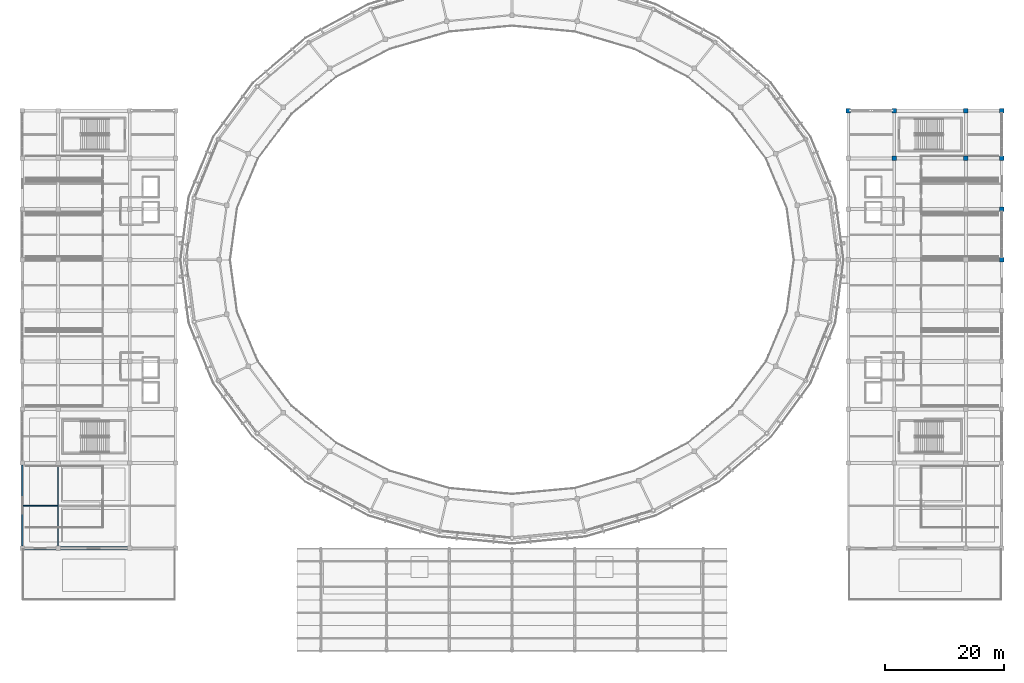
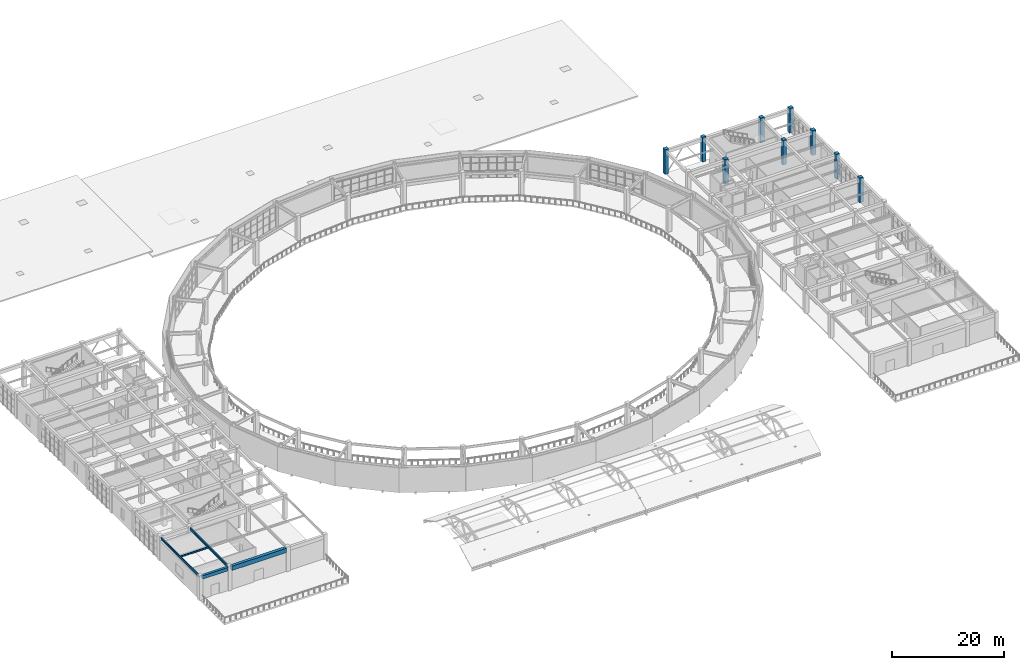
# One storey, part 10 of 70: 9 columns, 5 beams.
"""IFC4 building model written with IfcOpenShell, lengths in metres."""

from ifc_helpers import new_model, si_unit, direction, frame, origin, origin_2d, place, context, subcontext, project, spatial, rectangle, i_section, extrude, material, material_profile, profile_set, type_object, element, save


model = new_model("IFC4")

# Units and contexts
model_context = context("Model", 3, precision=1e-05, world=origin(), true_north=direction((0.0, 1.0)))
body_context = subcontext(model_context, "Body", "Model", "MODEL_VIEW")
ifc_project = project(units=[si_unit("LENGTHUNIT", "METRE"), si_unit("AREAUNIT", "SQUARE_METRE"), si_unit("VOLUMEUNIT", "CUBIC_METRE"), si_unit("PLANEANGLEUNIT", "RADIAN"), si_unit("MASSUNIT", "GRAM", prefix="KILO")], contexts=[model_context])

# Site, building, storey
site_placement = place(None, origin())
site = spatial("IfcSite", under=ifc_project, at=site_placement, CompositionType="ELEMENT")
building_placement = place(site_placement, origin())
building = spatial("IfcBuilding", under=site, at=building_placement, Name="Cuetzalor Civic Arena", CompositionType="ELEMENT")
storey_placement = place(building_placement, frame((0.0, 0.0, 21.0)))
storey = spatial("IfcBuildingStorey", under=building, at=storey_placement, Name="L04", CompositionType="ELEMENT", Elevation=21.0)

# Columns
ifc_material_1 = material(Name="Concrete C40/50", Category="concrete")
ifc_material_profile_1 = material_profile(ifc_material_1, rectangle(XDim=0.75, YDim=0.75, at=origin_2d()), Name="RC 750x750")
ifc_profile_set_1 = profile_set([ifc_material_profile_1], Name="Concrete C40/50")
column_type = type_object("IfcColumnType", Name="ConcreteColumn_750", PredefinedType="COLUMN", material=ifc_profile_set_1)
for number, where, z_axis, x_axis, name in (
    (1, (56.300048828125, 25.0, 0.0), (0.0, 0.0, 1.0), (1.0, 0.0, 0.0), "Column V4E-C-01-10 L04"),
    (2, (64.0, 17.0, 0.0), (0.0, 0.0, 1.0), (1.0, 0.0, 0.0), "Column V4E-C-02-09 L04"),
    (3, (64.0, 25.0, 0.0), (0.0, 0.0, 1.0), (1.0, 0.0, 0.0), "Column V4E-C-02-10 L04"),
    (4, (76.0, 17.0, 0.0), (0.0, 0.0, 1.0), (1.0, 0.0, 0.0), "Column V4E-C-03-09 L04"),
    (5, (76.0, 25.0, 0.0), (0.0, 0.0, 1.0), (1.0, 0.0, 0.0), "Column V4E-C-03-10 L04"),
    (6, (82.0, 0.0, 0.0), (0.0, 0.0, 1.0), (1.0, 0.0, 0.0), "Column V4E-C-04-07 L04"),
    (7, (82.0, 8.5, 0.0), (0.0, 0.0, 1.0), (1.0, 0.0, 0.0), "Column V4E-C-04-08 L04"),
    (8, (82.0, 17.0, 0.0), (0.0, 0.0, 1.0), (1.0, 0.0, 0.0), "Column V4E-C-04-09 L04"),
    (9, (82.0, 25.0, 0.0), (0.0, 0.0, 1.0), (1.0, 0.0, 0.0), "Column V4E-C-04-10 L04"),
):
    element("IfcColumn", number, at=place(storey_placement, frame(where, z_axis=z_axis, x_axis=x_axis)), inside=storey, type_object=column_type, Name=name, PredefinedType="COLUMN", context=body_context, shape_type="SweptSolid", body=[
        extrude(rectangle(XDim=0.75, YDim=0.75, at=origin_2d()), origin(), (0.0, 0.0, 1.0), 5.39990234375),
    ])

# Beams
ifc_material_2 = material(Name="Concrete C40/50", Category="concrete")
ifc_material_profile_2 = material_profile(ifc_material_2, rectangle(XDim=0.5, YDim=0.75, at=origin_2d()), Name="RC 500x750")
ifc_profile_set_2 = profile_set([ifc_material_profile_2], Name="Concrete C40/50")
beam_type_1 = type_object("IfcBeamType", Name="ConcreteFrameBeam_500x750", PredefinedType="BEAM", material=ifc_profile_set_2)
beam_1_placement = place(storey_placement, frame((-81.635009765625, -48.300048828125, 4.7451171875), z_axis=(1.0, 0.0, 0.0), x_axis=(0.0, 1.0, 0.0)))
element("IfcBeam", 10, at=beam_1_placement, inside=storey, type_object=beam_type_1, Name="Frame Girder V4W-L04-X1089", PredefinedType="BEAM", context=body_context, shape_type="SweptSolid", body=[
    extrude(rectangle(XDim=0.5, YDim=0.75, at=origin_2d()), origin(), (0.0, 0.0, 1.0), 5.27001953125),
])
ifc_material_3 = material(Name="Concrete C40/50", Category="concrete")
ifc_material_profile_3 = material_profile(ifc_material_3, rectangle(XDim=0.60009765625, YDim=0.949951171875, at=origin_2d()), Name="RC 600x950")
ifc_profile_set_3 = profile_set([ifc_material_profile_3], Name="Concrete C40/50")
beam_type_2 = type_object("IfcBeamType", Name="ConcreteFrameBeam_600x950", PredefinedType="BEAM", material=ifc_profile_set_3)
beam_2_placement = place(storey_placement, frame((-75.635009765625, -48.300048828125, 4.64501953125), z_axis=(1.0, 0.0, 0.0), x_axis=(0.0, 1.0, 0.0)))
element("IfcBeam", 11, at=beam_2_placement, inside=storey, type_object=beam_type_2, Name="Frame Girder V4W-L04-X1090", PredefinedType="BEAM", context=body_context, shape_type="SweptSolid", body=[
    extrude(rectangle(XDim=0.60009765625, YDim=0.949951171875, at=origin_2d()), origin(), (0.0, 0.0, 1.0), 11.27001953125),
])
ifc_material_4 = material(Name="Steel S355", Category="steel")
ifc_material_profile_4 = material_profile(ifc_material_4, i_section(OverallWidth=0.1708984375, OverallDepth=0.35498046875, WebThickness=0.007080078125, FlangeThickness=0.01171875, at=origin_2d()), Name="W360x51")
ifc_profile_set_4 = profile_set([ifc_material_profile_4], Name="Steel S355")
beam_type_3 = type_object("IfcBeamType", Name="SecondaryFloorJoist_W360", PredefinedType="JOIST", material=ifc_profile_set_4)
beam_3_placement = place(storey_placement, frame((-81.903564453125, -41.14990234375, 4.9423828125), z_axis=(1.0, 0.0, 0.0), x_axis=(0.0, 1.0, 0.0)))
element("IfcBeam", 12, at=beam_3_placement, inside=storey, type_object=beam_type_3, Name="Secondary Floor Joist V4W-L04-0336", PredefinedType="JOIST", context=body_context, shape_type="SweptSolid", body=[
    extrude(i_section(OverallWidth=0.1708984375, OverallDepth=0.35498046875, WebThickness=0.007080078125, FlangeThickness=0.01171875, at=origin_2d()), origin(), (0.0, 0.0, 1.0), 5.80712890625),
])
ifc_material_5 = material(Name="Steel S355", Category="steel")
ifc_material_profile_5 = material_profile(ifc_material_5, i_section(OverallWidth=0.208984375, OverallDepth=0.532958984375, WebThickness=0.01025390625, FlangeThickness=0.015625, at=origin_2d()), Name="W530x92")
ifc_profile_set_5 = profile_set([ifc_material_profile_5], Name="Steel S355")
beam_type_4 = type_object("IfcBeamType", Name="SteelCollarGirder_W530", PredefinedType="BEAM", material=ifc_profile_set_5)
for number, where, z_axis, x_axis, name in (
    (13, (-82.0, -47.93505859375, 4.853515625), (0.0, 1.0, 0.0), (-1.0, 0.0, 0.0), "Frame Girder V4W-L04-Y1116"),
    (14, (-76.0, -47.93505859375, 4.853515625), (0.0, 1.0, 0.0), (-1.0, 0.0, 0.0), "Frame Girder V4W-L04-Y1124"),
):
    element("IfcBeam", number, at=place(storey_placement, frame(where, z_axis=z_axis, x_axis=x_axis)), inside=storey, type_object=beam_type_4, Name=name, PredefinedType="BEAM", context=body_context, shape_type="SweptSolid", body=[
        extrude(i_section(OverallWidth=0.208984375, OverallDepth=0.532958984375, WebThickness=0.01025390625, FlangeThickness=0.015625, at=origin_2d()), origin(), (0.0, 0.0, 1.0), 13.570068359375),
    ])

save(model, "model.ifc")
